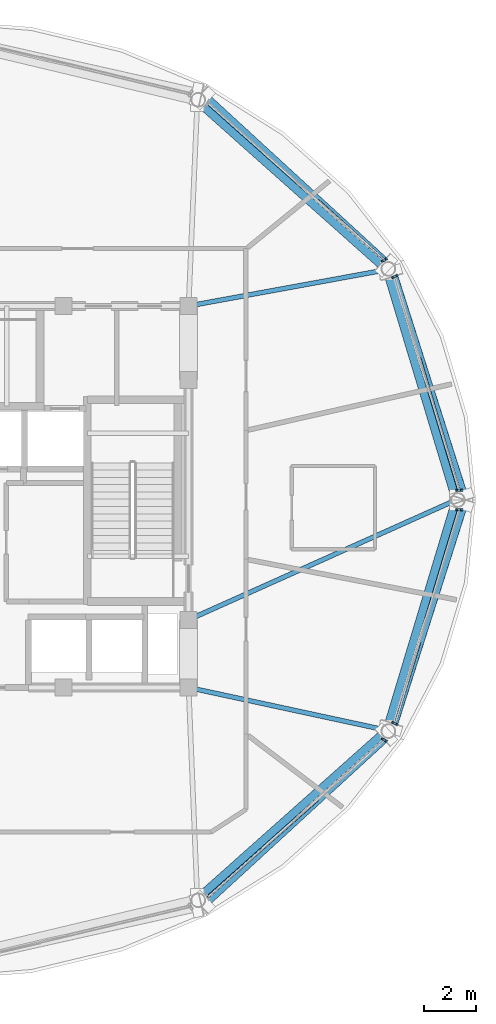
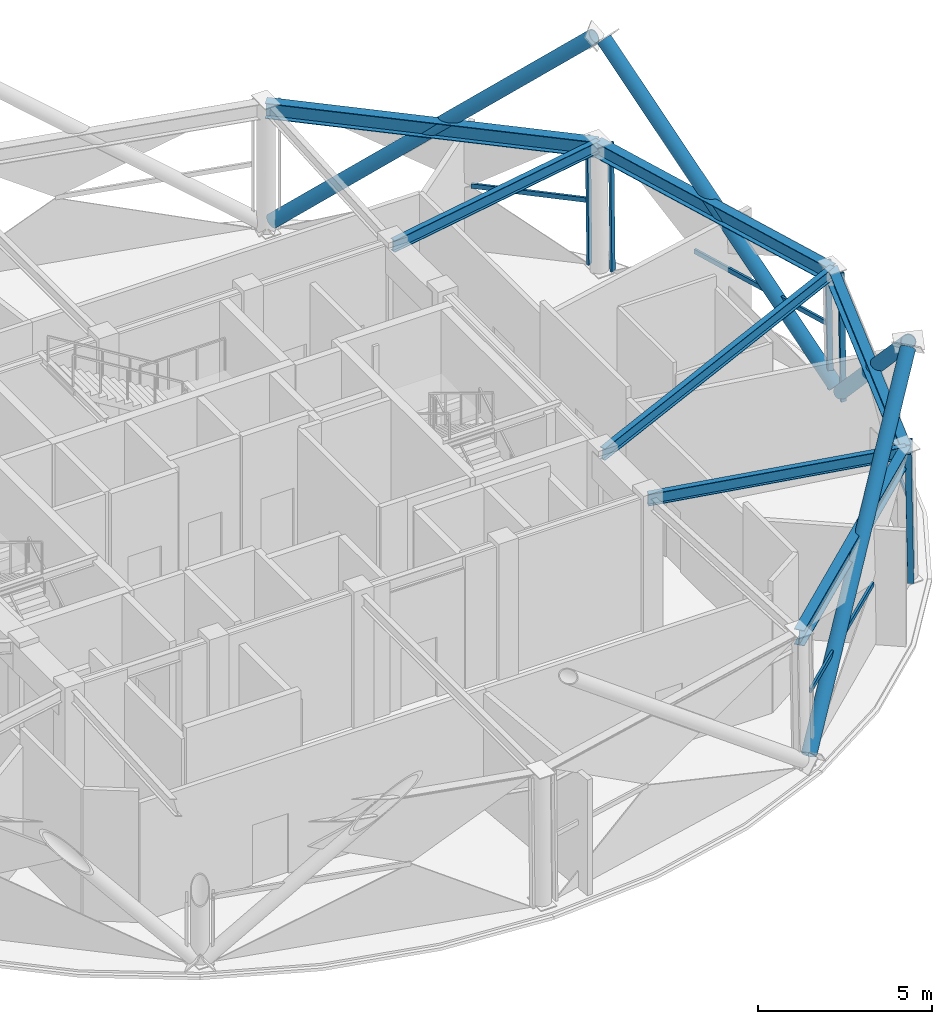
# One storey, part 4 of 14: 14 members, 7 beams, 4 elements without a shape of their own.
"""IFC4 building model written with IfcOpenShell, lengths in metres."""

from ifc_helpers import new_model, si_unit, direction, frame, origin, origin_2d, place, context, subcontext, project, spatial, hollow_rectangle, hollow_circle, i_section, extrude, material, layer, layer_set, material_profile, profile_set, type_object, element, aggregate, save


model = new_model("IFC4")

# Units and contexts
model_context = context("Model", 3, precision=1e-05, world=origin(), true_north=direction((0.0, 1.0)))
body_context = subcontext(model_context, "Body", "Model", "MODEL_VIEW")
ifc_project = project(units=[si_unit("LENGTHUNIT", "METRE"), si_unit("AREAUNIT", "SQUARE_METRE"), si_unit("VOLUMEUNIT", "CUBIC_METRE"), si_unit("PLANEANGLEUNIT", "RADIAN"), si_unit("MASSUNIT", "GRAM", prefix="KILO")], contexts=[model_context])

# Site, building, storey
site_placement = place(None, origin())
site = spatial("IfcSite", under=ifc_project, at=site_placement, CompositionType="ELEMENT")
building_placement = place(site_placement, origin())
building = spatial("IfcBuilding", under=site, at=building_placement, Name="Vantalir Tower", CompositionType="ELEMENT")
storey_placement = place(building_placement, frame((0.0, 0.0, 259.050048828125)))
storey = spatial("IfcBuildingStorey", under=building, at=storey_placement, Name="L65", CompositionType="ELEMENT", Elevation=259.050048828125)

# Beams
ifc_material_1 = material(Name="Steel S355", Category="steel")
ifc_material_profile_1 = material_profile(ifc_material_1, i_section(OverallWidth=0.179931640625, OverallDepth=0.4130859375, WebThickness=0.009521484375, FlangeThickness=0.01611328125, at=origin_2d()), Name="Steel S355")
ifc_profile_set_1 = profile_set([ifc_material_profile_1], Name="Steel S355")
beam_type_1 = type_object("IfcBeamType", Name="BM-RB-406x178", PredefinedType="BEAM", material=ifc_profile_set_1)
beam_1_placement = place(storey_placement, frame((51.3701171875, 25.0, 4.4140625), z_axis=(-0.912632151468, -0.408781795225, 0.0), x_axis=(0.408781795225, -0.912632151468, 0.0)))
element("IfcBeam", 1, at=beam_1_placement, inside=storey, type_object=beam_type_1, Name="L65 Radial Floor Beam 01", PredefinedType="BEAM", context=body_context, shape_type="SweptSolid", body=[
    extrude(i_section(OverallWidth=0.179931640625, OverallDepth=0.4130859375, WebThickness=0.009521484375, FlangeThickness=0.01611328125, at=origin_2d()), origin(), (0.0, 0.0, 1.0), 11.253173828125),
])
beam_2_placement = place(storey_placement, frame((48.7080078125, 33.841064453125, 4.4140625), z_axis=(-0.983690623214, -0.1798687238, 0.0), x_axis=(0.1798687238, -0.983690623214, 0.0)))
element("IfcBeam", 2, at=beam_2_placement, inside=storey, type_object=beam_type_1, Name="L65 Radial Floor Beam 02", PredefinedType="BEAM", context=body_context, shape_type="SweptSolid", body=[
    extrude(i_section(OverallWidth=0.179931640625, OverallDepth=0.4130859375, WebThickness=0.009521484375, FlangeThickness=0.01611328125, at=origin_2d()), origin(), (0.0, 0.0, 1.0), 7.734130859375),
])
beam_3_placement = place(storey_placement, frame((48.7080078125, 16.158935546875, 4.4140625), z_axis=(-0.977515973156, 0.21086138154, 0.0), x_axis=(-0.21086138154, -0.977515973156, 0.0)))
element("IfcBeam", 3, at=beam_3_placement, inside=storey, type_object=beam_type_1, Name="L65 Radial Floor Beam 12", PredefinedType="BEAM", context=body_context, shape_type="SweptSolid", body=[
    extrude(i_section(OverallWidth=0.179931640625, OverallDepth=0.4130859375, WebThickness=0.009521484375, FlangeThickness=0.01611328125, at=origin_2d()), origin(), (0.0, 0.0, 1.0), 7.782958984375),
])
ifc_material_2 = material(Name="Steel S460", Category="steel")
ifc_material_profile_2 = material_profile(ifc_material_2, i_section(OverallWidth=0.31201171875, OverallDepth=0.5419921875, WebThickness=0.0126953125, FlangeThickness=0.020263671875, at=origin_2d()), Name="Steel S460")
ifc_profile_set_2 = profile_set([ifc_material_profile_2], Name="Steel S460")
beam_type_2 = type_object("IfcBeamType", Name="BM-RG-533x312", PredefinedType="USERDEFINED", material=ifc_profile_set_2)
beam_4_placement = place(storey_placement, frame((51.3701171875, 25.0, 4.348876953125), z_axis=(-0.288320501525, 0.957533962009, 0.0), x_axis=(-0.957533962009, -0.288320501525, 0.0)))
element("IfcBeam", 4, at=beam_4_placement, inside=storey, type_object=beam_type_2, Name="L65 Circumferential Ring Girder 01", ObjectType="GIRDER", PredefinedType="USERDEFINED", context=body_context, shape_type="SweptSolid", body=[
    extrude(i_section(OverallWidth=0.31201171875, OverallDepth=0.5419921875, WebThickness=0.0126953125, FlangeThickness=0.020263671875, at=origin_2d()), origin(), (0.0, 0.0, 1.0), 9.233154296875),
])
for number, where, z_axis, x_axis, name in (
    (5, (48.7080078125, 33.841064453125, 4.348876953125), (-0.747048097414, 0.664769990411, 0.0), (-0.664769990411, -0.747048097414, 0.0), "L65 Circumferential Ring Girder 02"),
    (6, (41.43505859375, 9.68701171875, 4.348876953125), (0.747048097414, 0.664769990411, 0.0), (-0.664769990411, 0.747048097414, 0.0), "L65 Circumferential Ring Girder 11"),
):
    element("IfcBeam", number, at=place(storey_placement, frame(where, z_axis=z_axis, x_axis=x_axis)), inside=storey, type_object=beam_type_2, Name=name, ObjectType="GIRDER", PredefinedType="USERDEFINED", context=body_context, shape_type="SweptSolid", body=[
        extrude(i_section(OverallWidth=0.31201171875, OverallDepth=0.5419921875, WebThickness=0.0126953125, FlangeThickness=0.020263671875, at=origin_2d()), origin(), (0.0, 0.0, 1.0), 9.735595703125),
    ])
beam_5_placement = place(storey_placement, frame((48.7080078125, 16.158935546875, 4.348876953125), z_axis=(0.288320501525, 0.957533962009, 0.0), x_axis=(-0.957533962009, 0.288320501525, 0.0)))
element("IfcBeam", 7, at=beam_5_placement, inside=storey, type_object=beam_type_2, Name="L65 Circumferential Ring Girder 12", ObjectType="GIRDER", PredefinedType="USERDEFINED", context=body_context, shape_type="SweptSolid", body=[
    extrude(i_section(OverallWidth=0.31201171875, OverallDepth=0.5419921875, WebThickness=0.0126953125, FlangeThickness=0.020263671875, at=origin_2d()), origin(), (0.0, 0.0, 1.0), 9.233154296875),
])

# Curtain wall, members
ifc_material_3 = material(Name="Champagne-silver PVDF aluminium and double-silver Low-E glass", Category="aluminium")
ifc_layer = layer(ifc_material_3, 0.22998046875)
ifc_layer_set = layer_set([ifc_layer], Name="Champagne-silver PVDF aluminium and double-silver Low-E glass")
curtain_wall_type = type_object("IfcCurtainWallType", Name="CW-SKYLOBBY", PredefinedType="USERDEFINED", material=ifc_layer_set)
curtain_wall_1_placement = place(storey_placement, origin())
curtain_wall_1 = element("IfcCurtainWall", 8, at=curtain_wall_1_placement, inside=storey, type_object=curtain_wall_type, Name="L65 Quilted Pyramid-Diamond Curtain Wall S01", ObjectType="UNITISED CURTAIN WALL", PredefinedType="USERDEFINED")
ifc_material_4 = material(Name="Champagne-silver PVDF aluminium 6063-T6", Category="aluminium")
ifc_material_profile_3 = material_profile(ifc_material_4, hollow_rectangle(XDim=0.074951171875, YDim=0.179931640625, WallThickness=0.00390625, at=origin_2d()), Name="Champagne-silver PVDF aluminium 6063-T6")
ifc_profile_set_3 = profile_set([ifc_material_profile_3], Name="Champagne-silver PVDF aluminium 6063-T6")
member_type_1 = type_object("IfcMemberType", Name="CWM-180x75", PredefinedType="MULLION", material=ifc_profile_set_3)
member_1_placement = place(storey_placement, frame((51.528076171875, 25.373046875, 0.044921875), z_axis=(-0.017674414706, 0.0, 0.999843795332), x_axis=(0.0, -1.0, 0.0)))
member_1 = element("IfcMember", 9, at=member_1_placement, type_object=member_type_1, Name="CW-L65-S01 Mullion 1", PredefinedType="MULLION", context=body_context, shape_type="SweptSolid", body=[
    extrude(hollow_rectangle(XDim=0.074951171875, YDim=0.179931640625, WallThickness=0.00390625, at=origin_2d()), origin(), (0.0, 0.0, 1.0), 4.53076171875),
])
member_2_placement = place(storey_placement, frame((49.053955078125, 33.59912109375, 0.044921875), z_axis=(-0.015465187209, -0.007975079118, 0.999848601588), x_axis=(0.458327357576, -0.888783456921, 0.0)))
member_2 = element("IfcMember", 10, at=member_2_placement, type_object=member_type_1, Name="CW-L65-S01 Mullion 2", PredefinedType="MULLION", context=body_context, shape_type="SweptSolid", body=[
    extrude(hollow_rectangle(XDim=0.074951171875, YDim=0.179931640625, WallThickness=0.00390625, at=origin_2d()), origin(), (0.0, 0.0, 1.0), 4.53076171875),
])

# Curtain wall, member
curtain_wall_2_placement = place(storey_placement, origin())
curtain_wall_2 = element("IfcCurtainWall", 11, at=curtain_wall_2_placement, inside=storey, type_object=curtain_wall_type, Name="L65 Quilted Pyramid-Diamond Curtain Wall S02", ObjectType="UNITISED CURTAIN WALL", PredefinedType="USERDEFINED")
member_3_placement = place(storey_placement, frame((48.65087890625, 34.23095703125, 0.044921875), z_axis=(-0.01541132096, -0.007921203431, 0.99984986159), x_axis=(0.457137201468, -0.88939618789, 0.0)))
member_3 = element("IfcMember", 12, at=member_3_placement, type_object=member_type_1, Name="CW-L65-S02 Mullion 1", PredefinedType="MULLION", context=body_context, shape_type="SweptSolid", body=[
    extrude(hollow_rectangle(XDim=0.074951171875, YDim=0.179931640625, WallThickness=0.00390625, at=origin_2d()), origin(), (0.0, 0.0, 1.0), 4.53076171875),
])

curtain_wall_3_placement = place(storey_placement, origin())
curtain_wall_3 = element("IfcCurtainWall", 13, at=curtain_wall_3_placement, inside=storey, type_object=curtain_wall_type, Name="L65 Quilted Pyramid-Diamond Curtain Wall S11", ObjectType="UNITISED CURTAIN WALL", PredefinedType="USERDEFINED")
member_4_placement = place(storey_placement, frame((48.65087890625, 15.76904296875, 0.044921875), z_axis=(-0.01541132096, 0.007921203431, 0.99984986159), x_axis=(-0.457137201468, -0.88939618789, 0.0)))
member_4 = element("IfcMember", 14, at=member_4_placement, type_object=member_type_1, Name="CW-L65-S11 Mullion 2", PredefinedType="MULLION", context=body_context, shape_type="SweptSolid", body=[
    extrude(hollow_rectangle(XDim=0.074951171875, YDim=0.179931640625, WallThickness=0.00390625, at=origin_2d()), origin(), (0.0, 0.0, 1.0), 4.53076171875),
])

# Curtain wall, members
curtain_wall_4_placement = place(storey_placement, origin())
curtain_wall_4 = element("IfcCurtainWall", 15, at=curtain_wall_4_placement, inside=storey, type_object=curtain_wall_type, Name="L65 Quilted Pyramid-Diamond Curtain Wall S12", ObjectType="UNITISED CURTAIN WALL", PredefinedType="USERDEFINED")
member_5_placement = place(storey_placement, frame((49.053955078125, 16.40087890625, 0.044921875), z_axis=(-0.015465187209, 0.007975079118, 0.999848601588), x_axis=(-0.458327357576, -0.888783456921, 0.0)))
member_5 = element("IfcMember", 16, at=member_5_placement, type_object=member_type_1, Name="CW-L65-S12 Mullion 1", PredefinedType="MULLION", context=body_context, shape_type="SweptSolid", body=[
    extrude(hollow_rectangle(XDim=0.074951171875, YDim=0.179931640625, WallThickness=0.00390625, at=origin_2d()), origin(), (0.0, 0.0, 1.0), 4.53076171875),
])
member_6_placement = place(storey_placement, frame((51.528076171875, 24.626953125, 0.044921875), z_axis=(-0.017674414706, 0.0, 0.999843795332), x_axis=(0.0, -1.0, 0.0)))
member_6 = element("IfcMember", 17, at=member_6_placement, type_object=member_type_1, Name="CW-L65-S12 Mullion 2", PredefinedType="MULLION", context=body_context, shape_type="SweptSolid", body=[
    extrude(hollow_rectangle(XDim=0.074951171875, YDim=0.179931640625, WallThickness=0.00390625, at=origin_2d()), origin(), (0.0, 0.0, 1.0), 4.53076171875),
])

# Member
ifc_material_profile_4 = material_profile(ifc_material_4, hollow_rectangle(XDim=0.074951171875, YDim=0.159912109375, WallThickness=0.00390625, at=origin_2d()), Name="Champagne-silver PVDF aluminium 6063-T6")
ifc_profile_set_4 = profile_set([ifc_material_profile_4], Name="Champagne-silver PVDF aluminium 6063-T6")
member_type_2 = type_object("IfcMemberType", Name="CWT-160x75", PredefinedType="USERDEFINED", material=ifc_profile_set_4)
member_7_placement = place(storey_placement, frame((51.488037109375, 25.373046875, 2.31005859375), z_axis=(-0.283767664913, 0.95889306617, 0.0), x_axis=(-0.95889306617, -0.283767664913, 0.0)))
member_7 = element("IfcMember", 18, at=member_7_placement, type_object=member_type_2, Name="CW-L65-S01 Pyramid Fold Ridge Transom", ObjectType="TRANSOM", PredefinedType="USERDEFINED", context=body_context, shape_type="SweptSolid", body=[
    extrude(hollow_rectangle(XDim=0.074951171875, YDim=0.159912109375, WallThickness=0.00390625, at=origin_2d()), origin(), (0.0, 0.0, 1.0), 5.314453125),
])

aggregate(curtain_wall_1, [member_1, member_2, member_7])

member_8_placement = place(storey_placement, frame((48.615966796875, 34.212890625, 2.31005859375), z_axis=(-0.742027575882, 0.670369358362, 0.0), x_axis=(-0.670369358362, -0.742027575882, 0.0)))
member_8 = element("IfcMember", 19, at=member_8_placement, type_object=member_type_2, Name="CW-L65-S02 Pyramid Fold Ridge Transom", ObjectType="TRANSOM", PredefinedType="USERDEFINED", context=body_context, shape_type="SweptSolid", body=[
    extrude(hollow_rectangle(XDim=0.074951171875, YDim=0.159912109375, WallThickness=0.00390625, at=origin_2d()), origin(), (0.0, 0.0, 1.0), 3.444580078125),
])

aggregate(curtain_wall_2, [member_3, member_8])

member_9_placement = place(storey_placement, frame((41.841064453125, 9.75, 2.31005859375), z_axis=(0.749363111536, 0.662159291311, 0.0), x_axis=(-0.662159291311, 0.749363111536, 0.0)))
member_9 = element("IfcMember", 20, at=member_9_placement, type_object=member_type_2, Name="CW-L65-S11 Pyramid Fold Ridge Transom", ObjectType="TRANSOM", PredefinedType="USERDEFINED", context=body_context, shape_type="SweptSolid", body=[
    extrude(hollow_rectangle(XDim=0.074951171875, YDim=0.159912109375, WallThickness=0.00390625, at=origin_2d()), origin(), (0.0, 0.0, 1.0), 5.630126953125),
])

aggregate(curtain_wall_3, [member_4, member_9])

member_10_placement = place(storey_placement, frame((49.01904296875, 16.4189453125, 2.31005859375), z_axis=(0.295033818755, 0.955486810893, 0.0), x_axis=(-0.955486810893, 0.295033818755, 0.0)))
member_10 = element("IfcMember", 21, at=member_10_placement, type_object=member_type_2, Name="CW-L65-S12 Pyramid Fold Ridge Transom", ObjectType="TRANSOM", PredefinedType="USERDEFINED", context=body_context, shape_type="SweptSolid", body=[
    extrude(hollow_rectangle(XDim=0.074951171875, YDim=0.159912109375, WallThickness=0.00390625, at=origin_2d()), origin(), (0.0, 0.0, 1.0), 3.257080078125),
])

aggregate(curtain_wall_4, [member_5, member_6, member_10])

# Members
ifc_material_profile_5 = material_profile(ifc_material_2, hollow_circle(Radius=0.22998046875, WallThickness=0.028076171875, at=origin_2d()), Name="Steel S460")
ifc_profile_set_5 = profile_set([ifc_material_profile_5], Name="Steel S460")
member_type_3 = type_object("IfcMemberType", Name="MEM-DB-460x28", PredefinedType="BRACE", material=ifc_profile_set_5)
member_11_placement = place(storey_placement, frame((51.590087890625, 25.156982421875, 0.224853515625), z_axis=(-0.228136821215, 0.715646751269, 0.660154010973), x_axis=(-0.952759834485, -0.303724707246, 0.0)))
element("IfcMember", 22, at=member_11_placement, inside=storey, type_object=member_type_3, Name="L65 Perimeter S460 Diagrid Brace R01L", PredefinedType="BRACE", context=body_context, shape_type="SweptSolid", body=[
    extrude(hollow_circle(Radius=0.22998046875, WallThickness=0.028076171875, at=origin_2d()), origin(), (0.0, 0.0, 1.0), 11.99755859375),
])
member_12_placement = place(storey_placement, frame((51.590087890625, 24.843017578125, 0.224853515625), z_axis=(-0.228123532228, -0.715686457544, 0.660115556954), x_axis=(0.952769829622, -0.303693351527, 0.0)))
element("IfcMember", 23, at=member_12_placement, inside=storey, type_object=member_type_3, Name="L65 Perimeter S460 Diagrid Brace R01R", PredefinedType="BRACE", context=body_context, shape_type="SweptSolid", body=[
    extrude(hollow_circle(Radius=0.22998046875, WallThickness=0.028076171875, at=origin_2d()), origin(), (0.0, 0.0, 1.0), 11.998046875),
])
member_13_placement = place(storey_placement, frame((41.694091796875, 40.426025390625, 0.220947265625), z_axis=(0.565142980115, -0.518801650812, 0.6414501221), x_axis=(0.676258465273, 0.736664433882, 0.0)))
element("IfcMember", 24, at=member_13_placement, inside=storey, type_object=member_type_3, Name="L65 Perimeter S460 Diagrid Brace R07R", PredefinedType="BRACE", context=body_context, shape_type="SweptSolid", body=[
    extrude(hollow_circle(Radius=0.22998046875, WallThickness=0.028076171875, at=origin_2d()), origin(), (0.0, 0.0, 1.0), 12.359375),
])
member_14_placement = place(storey_placement, frame((41.694091796875, 9.573974609375, 0.220947265625), z_axis=(0.565166146261, 0.518743900762, 0.641476416202), x_axis=(-0.676202567229, 0.736715744418, 0.0)))
element("IfcMember", 25, at=member_14_placement, inside=storey, type_object=member_type_3, Name="L65 Perimeter S460 Diagrid Brace R31L", PredefinedType="BRACE", context=body_context, shape_type="SweptSolid", body=[
    extrude(hollow_circle(Radius=0.22998046875, WallThickness=0.028076171875, at=origin_2d()), origin(), (0.0, 0.0, 1.0), 12.35888671875),
])

save(model, "model.ifc")
